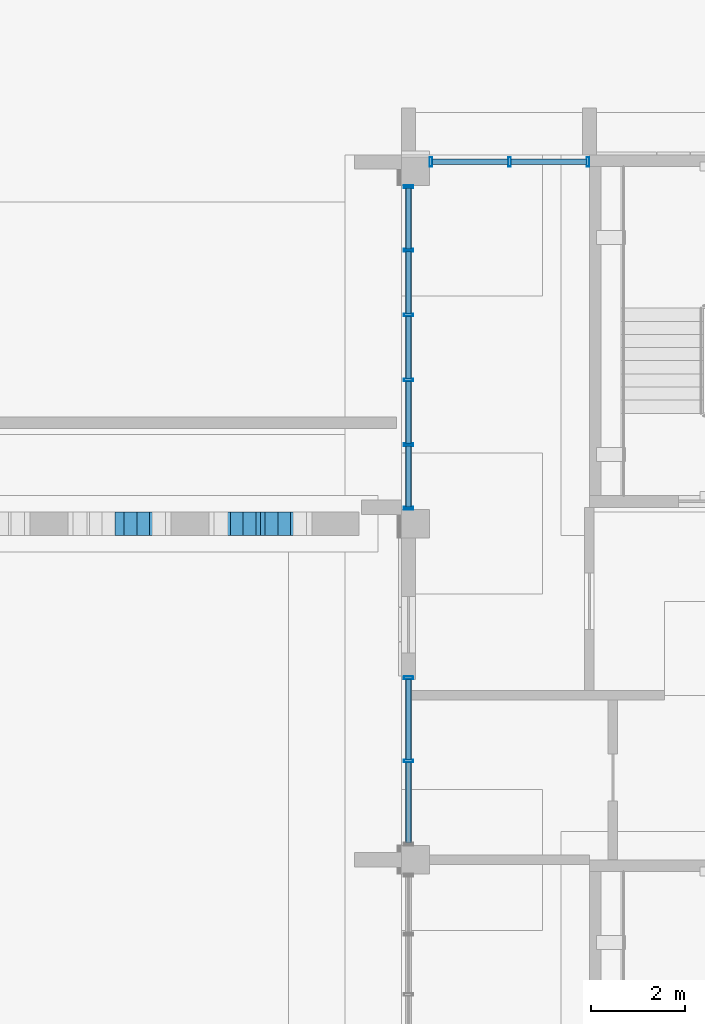
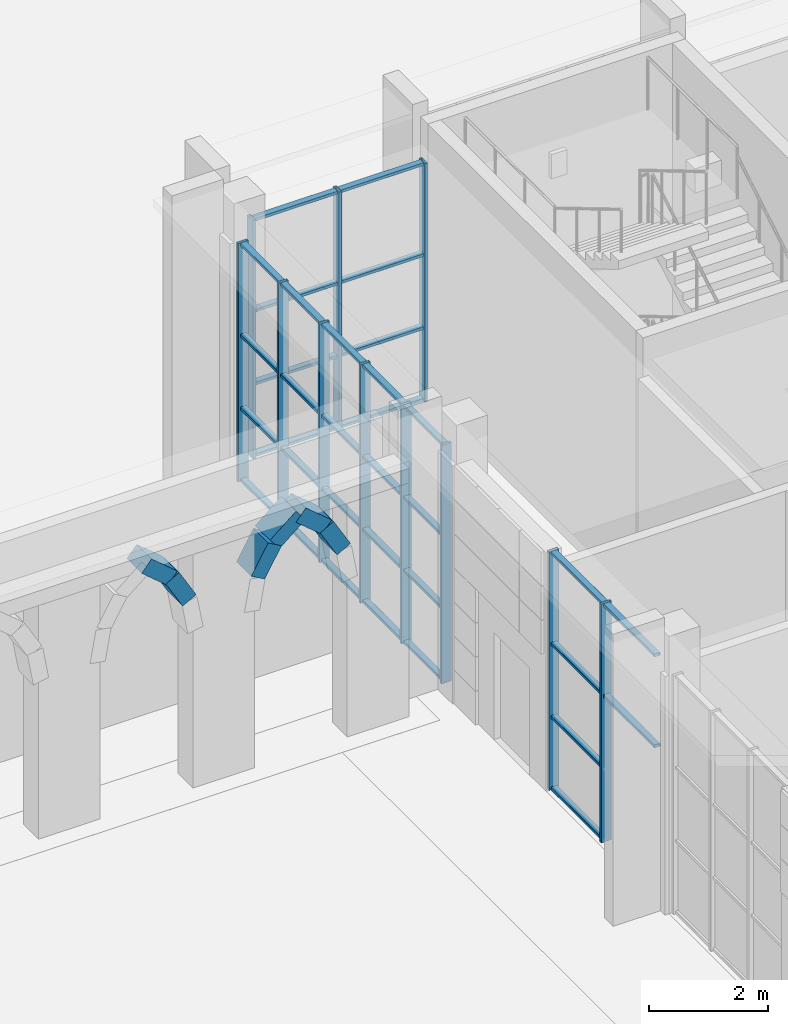
# One storey, part 35 of 125: 51 members, 3 elements without a shape of their own.
"""IFC4 building model written with IfcOpenShell, lengths in metres."""

import ifcopenshell
import ifcopenshell.guid

model = None  # the IFC model being written
_history = None  # IfcOwnerHistory: only IFC2X3 demands one
_inside = {}  # id of a spatial element -> (the spatial element, [elements in it])
_under = {}  # id of a project, library or spatial element -> (it, [spatial elements below it])
_declared = {}  # id of a project -> (the project, [libraries it declares])
_typed = {}  # id of a type object -> (the type object, [elements of that type])
_made_of = {}  # id of a material, layer set ... -> (it, [elements and type objects made of it])


def new_model(schema):
    """Start an empty IFC model of exactly this schema.

    Asked for "IFC4X3", IfcOpenShell would pick the latest addendum, in which some entities
    have other attributes; the version numbers below select the first issue.
    IFC2X3 requires an IfcOwnerHistory on every rooted entity: one is made here for all.
    """
    global model, _history
    if schema == "IFC4X3":
        model = ifcopenshell.file(schema_version=(4, 3, 0, 0))
    else:
        model = ifcopenshell.file(schema=schema)
    _inside.clear()
    _under.clear()
    _declared.clear()
    _typed.clear()
    _made_of.clear()
    _history = None
    if model.schema == "IFC2X3":
        org = make("IfcOrganization", Name="unknown")
        user = make(
            "IfcPersonAndOrganization",
            ThePerson=make("IfcPerson", FamilyName="unknown"),
            TheOrganization=org,
        )
        app = make(
            "IfcApplication",
            ApplicationDeveloper=org,
            Version="unknown",
            ApplicationFullName="unknown",
            ApplicationIdentifier="unknown",
        )
        _history = make(
            "IfcOwnerHistory",
            OwningUser=user,
            OwningApplication=app,
            ChangeAction="ADDED",
            CreationDate=0,
        )
    return model


def make(cls, **values):
    """One entity of the class cls with the attributes given. An attribute that is None is left unset."""
    return model.create_entity(
        cls, **{name: value for name, value in values.items() if value is not None}
    )


def rooted(cls, **values):
    """An entity with a GlobalId (a new one), such as an element, a storey or a relation."""
    return make(cls, GlobalId=ifcopenshell.guid.new(), OwnerHistory=_history, **values)


def si_unit(unit_type, name, prefix=None):
    """IfcSIUnit, for example si_unit("LENGTHUNIT", "METRE", prefix="MILLI")."""
    return make("IfcSIUnit", UnitType=unit_type, Prefix=prefix, Name=name)


def assignment(units):
    """IfcUnitAssignment: the units of a project."""
    return None if units is None else make("IfcUnitAssignment", Units=units)


def point(xyz):
    """IfcCartesianPoint."""
    return None if xyz is None else make("IfcCartesianPoint", Coordinates=xyz)


def direction(xyz):
    """IfcDirection."""
    return None if xyz is None else make("IfcDirection", DirectionRatios=xyz)


def frame(location, z_axis=None, x_axis=None):
    """IfcAxis2Placement3D, a coordinate frame: its origin and axes. An axis left out is left unset."""
    return make(
        "IfcAxis2Placement3D",
        Location=point(location),
        Axis=direction(z_axis),
        RefDirection=direction(x_axis),
    )


def frame_2d(location, x_axis=None):
    """IfcAxis2Placement2D, a coordinate frame in the plane: its origin and x axis."""
    return make(
        "IfcAxis2Placement2D", Location=point(location), RefDirection=direction(x_axis)
    )


def origin():
    """The frame at (0, 0, 0) with its axes left unset."""
    return frame((0.0, 0.0, 0.0))


def origin_2d():
    """The frame at (0, 0) in the plane with its x axis left unset."""
    return frame_2d((0.0, 0.0))


def place(relative_to, where):
    """IfcLocalPlacement: puts the frame where relative to a parent placement (None: the world)."""
    return make(
        "IfcLocalPlacement", PlacementRelTo=relative_to, RelativePlacement=where
    )


def context(
    kind, dimensions, precision=None, world=None, true_north=None, identifier=None
):
    """IfcGeometricRepresentationContext, for example the 3D "Model" context."""
    return make(
        "IfcGeometricRepresentationContext",
        ContextIdentifier=identifier,
        ContextType=kind,
        CoordinateSpaceDimension=dimensions,
        Precision=precision,
        WorldCoordinateSystem=world,
        TrueNorth=true_north,
    )


def subcontext(parent, identifier, kind, view, scale=None):
    """IfcGeometricRepresentationSubContext, for example "Body" below "Model"."""
    return make(
        "IfcGeometricRepresentationSubContext",
        ContextIdentifier=identifier,
        ContextType=kind,
        ParentContext=parent,
        TargetScale=scale,
        TargetView=view,
    )


def project(units=None, contexts=None):
    """IfcProject with its units and contexts."""
    return rooted(
        "IfcProject",
        Name="project",
        RepresentationContexts=contexts,
        UnitsInContext=assignment(units),
    )


def spatial(cls, under=None, at=None, **own):
    """A site, building, storey or space (cls), placed at a placement, below another one or the project."""
    s = rooted(cls, ObjectPlacement=at, **own)
    if under is not None:
        _under.setdefault(under.id(), (under, []))[1].append(s)
    return s


def profile(cls, at=None, kind="AREA", **sizes):
    """A parametric profile (cls). Its sizes go by their IFC names, for example OverallWidth=200.0."""
    return make(cls, ProfileType=kind, Position=at, **sizes)


def rectangle(**sizes):
    """IfcRectangleProfileDef."""
    return profile("IfcRectangleProfileDef", **sizes)


def hollow_rectangle(**sizes):
    """IfcRectangleHollowProfileDef."""
    return profile("IfcRectangleHollowProfileDef", **sizes)


def extrude(swept, where, along, depth):
    """IfcExtrudedAreaSolid: the profile swept, set in the frame where, extruded along a direction by depth."""
    return make(
        "IfcExtrudedAreaSolid",
        SweptArea=swept,
        Position=where,
        ExtrudedDirection=direction(along),
        Depth=depth,
    )


def shape(context_of_items, identifier, shape_type, items):
    """IfcShapeRepresentation: the items that make up one representation, for example the "Body"."""
    return make(
        "IfcShapeRepresentation",
        ContextOfItems=context_of_items,
        RepresentationIdentifier=identifier,
        RepresentationType=shape_type,
        Items=items,
    )


def material(Name=None, Category=None):
    """IfcMaterial."""
    return make("IfcMaterial", Name=Name, Category=Category)


def material_profile(
    of_material, cross_section, Name=None, Category=None, Priority=None
):
    """IfcMaterialProfile: a cross section and its material."""
    return make(
        "IfcMaterialProfile",
        Name=Name,
        Material=of_material,
        Profile=cross_section,
        Priority=Priority,
        Category=Category,
    )


def profile_set(profiles, Name=None, composite=None):
    """IfcMaterialProfileSet."""
    return make(
        "IfcMaterialProfileSet",
        Name=Name,
        MaterialProfiles=profiles,
        CompositeProfile=composite,
    )


def made_of(thing, what):
    """Note that an element or type object is made of a material, layer set ...; save() writes the relation."""
    if what is not None:
        _made_of.setdefault(what.id(), (what, []))[1].append(thing)
    return thing


def type_object(cls, material=None, **own):
    """A type object (cls), such as IfcWallType, which elements share."""
    return made_of(rooted(cls, **own), material)


def element(
    cls,
    number,
    at=None,
    inside=None,
    cuts=None,
    type_object=None,
    material=None,
    context=None,
    identifier="Body",
    shape_type=None,
    held_by="IfcProductDefinitionShape",
    body=None,
    shapes=None,
    **own,
):
    """One element of the class cls, such as IfcWall. Its Tag is "e" and its number.

    at: its placement. inside: the storey or other place that contains it. cuts: it is an
    opening in that element (IfcRelVoidsElement). A single representation is given by context,
    identifier, shape_type and body (its items); several are given by shapes. held_by: the class
    of the entity that holds the representations. save() writes the other relations.
    """
    e = rooted(cls, Tag="e%d" % number, ObjectPlacement=at, **own)
    if body is not None:
        shapes = [shape(context, identifier, shape_type, body)]
    if shapes is not None:
        e.Representation = make(held_by, Representations=shapes)
    if inside is not None:
        _inside.setdefault(inside.id(), (inside, []))[1].append(e)
    if cuts is not None:
        rooted(
            "IfcRelVoidsElement", RelatingBuildingElement=cuts, RelatedOpeningElement=e
        )
    if type_object is not None:
        _typed.setdefault(type_object.id(), (type_object, []))[1].append(e)
    return made_of(e, material)


def aggregate(whole, parts):
    """IfcRelAggregates: a whole, such as a stair, and the parts it consists of."""
    return rooted("IfcRelAggregates", RelatingObject=whole, RelatedObjects=parts)


def save(model, path):
    """Write the relations noted so far, then the file.

    IfcRelAggregates (storeys below a building ...), IfcRelContainedInSpatialStructure (elements
    in a storey), IfcRelDefinesByType, IfcRelAssociatesMaterial and IfcRelDeclares: one each for
    every whole, place, type object, material and project.
    """
    for whole, parts in _under.values():
        aggregate(whole, parts)
    for where, things in _inside.values():
        rooted(
            "IfcRelContainedInSpatialStructure",
            RelatedElements=things,
            RelatingStructure=where,
        )
    for kind, things in _typed.values():
        rooted("IfcRelDefinesByType", RelatedObjects=things, RelatingType=kind)
    for what, things in _made_of.values():
        rooted("IfcRelAssociatesMaterial", RelatedObjects=things, RelatingMaterial=what)
    for by, libraries in _declared.values():
        rooted("IfcRelDeclares", RelatingContext=by, RelatedDefinitions=libraries)
    model.write(path)


model = new_model("IFC4")

# Units and contexts
model_context = context("Model", 3, precision=1e-05, world=origin(), true_north=direction((0.0, 1.0)))
body_context = subcontext(model_context, "Body", "Model", "MODEL_VIEW")
ifc_project = project(units=[si_unit("LENGTHUNIT", "METRE"), si_unit("AREAUNIT", "SQUARE_METRE"), si_unit("VOLUMEUNIT", "CUBIC_METRE"), si_unit("PLANEANGLEUNIT", "RADIAN"), si_unit("MASSUNIT", "GRAM", prefix="KILO")], contexts=[model_context])

# Site, building, storey
site_placement = place(None, origin())
site = spatial("IfcSite", under=ifc_project, at=site_placement, CompositionType="ELEMENT")
building_placement = place(site_placement, origin())
building = spatial("IfcBuilding", under=site, at=building_placement, Name="Sun Court Science Centre", CompositionType="ELEMENT")
storey_placement = place(building_placement, origin())
storey = spatial("IfcBuildingStorey", under=building, at=storey_placement, Name="L00", CompositionType="ELEMENT", Elevation=0.0)

# Members
ifc_material_1 = material(Name="Concrete C30/37", Category="concrete")
ifc_material_profile_1 = material_profile(ifc_material_1, rectangle(XDim=0.5, YDim=0.300048828125, at=origin_2d()), Name="RC 500x300")
ifc_profile_set_1 = profile_set([ifc_material_profile_1], Name="Concrete C30/37")
member_type_1 = type_object("IfcMemberType", Name="Arcade arch rib RC 500x300", PredefinedType="MEMBER", material=ifc_profile_set_1)
member_1_placement = place(storey_placement, frame((72.83544921875, 73.14990234375, 3.8798828125), z_axis=(-0.500117354631, 0.0, 0.865957638454), x_axis=(0.0, -1.0, 0.0)))
element("IfcMember", 1, at=member_1_placement, inside=storey, type_object=member_type_1, Name="Arcade arch rib AR2 bay 16", PredefinedType="MEMBER", context=body_context, shape_type="SweptSolid", body=[
    extrude(rectangle(XDim=0.5, YDim=0.300048828125, at=origin_2d()), origin(), (0.0, 0.0, 1.0), 0.659912109375),
])
member_2_placement = place(storey_placement, frame((72.50537109375, 73.14990234375, 4.451416015625), z_axis=(-0.76603282395, 0.0, 0.642801456619), x_axis=(0.0, -1.0, 0.0)))
element("IfcMember", 2, at=member_2_placement, inside=storey, type_object=member_type_1, Name="Arcade arch rib AR2 bay 16", PredefinedType="MEMBER", context=body_context, shape_type="SweptSolid", body=[
    extrude(rectangle(XDim=0.5, YDim=0.300048828125, at=origin_2d()), origin(), (0.0, 0.0, 1.0), 0.65966796875),
])
member_3_placement = place(storey_placement, frame((74.16455078125, 73.14990234375, 3.8798828125), z_axis=(0.500117354631, 0.0, 0.865957638454), x_axis=(0.0, 1.0, 0.0)))
element("IfcMember", 3, at=member_3_placement, inside=storey, type_object=member_type_1, Name="Arcade arch rib AR2 bay 17", PredefinedType="MEMBER", context=body_context, shape_type="SweptSolid", body=[
    extrude(rectangle(XDim=0.5, YDim=0.300048828125, at=origin_2d()), origin(), (0.0, 0.0, 1.0), 0.659912109375),
])
member_4_placement = place(storey_placement, frame((74.49462890625, 73.14990234375, 4.451416015625), z_axis=(0.76603282395, 0.0, 0.642801456619), x_axis=(0.0, 1.0, 0.0)))
element("IfcMember", 4, at=member_4_placement, inside=storey, type_object=member_type_1, Name="Arcade arch rib AR2 bay 17", PredefinedType="MEMBER", context=body_context, shape_type="SweptSolid", body=[
    extrude(rectangle(XDim=0.5, YDim=0.300048828125, at=origin_2d()), origin(), (0.0, 0.0, 1.0), 0.65966796875),
])
member_5_placement = place(storey_placement, frame((75.83544921875, 73.14990234375, 3.8798828125), z_axis=(-0.500117354631, 0.0, 0.865957638454), x_axis=(0.0, -1.0, 0.0)))
element("IfcMember", 5, at=member_5_placement, inside=storey, type_object=member_type_1, Name="Arcade arch rib AR2 bay 17", PredefinedType="MEMBER", context=body_context, shape_type="SweptSolid", body=[
    extrude(rectangle(XDim=0.5, YDim=0.300048828125, at=origin_2d()), origin(), (0.0, 0.0, 1.0), 0.659912109375),
])
member_6_placement = place(storey_placement, frame((75.50537109375, 73.14990234375, 4.451416015625), z_axis=(-0.76603282395, 0.0, 0.642801456619), x_axis=(0.0, -1.0, 0.0)))
element("IfcMember", 6, at=member_6_placement, inside=storey, type_object=member_type_1, Name="Arcade arch rib AR2 bay 17", PredefinedType="MEMBER", context=body_context, shape_type="SweptSolid", body=[
    extrude(rectangle(XDim=0.5, YDim=0.300048828125, at=origin_2d()), origin(), (0.0, 0.0, 1.0), 0.65966796875),
])

# Curtain wall, members
ifc_material_2 = material(Name="Aluminium EN AW-6063 T6", Category="aluminium")
curtain_wall_type = type_object("IfcCurtainWallType", Name="Laboratory tall bay curtain wall 1500", PredefinedType="NOTDEFINED", material=ifc_material_2)
curtain_wall_1_placement = place(storey_placement, origin())
curtain_wall_1 = element("IfcCurtainWall", 7, at=curtain_wall_1_placement, inside=storey, type_object=curtain_wall_type, Name="Curtain wall V4 W L00 08", PredefinedType="NOTDEFINED")
ifc_material_3 = material(Name="Aluminium EN AW-6063 T6", Category="aluminium")
ifc_material_profile_2 = material_profile(ifc_material_3, hollow_rectangle(XDim=0.06005859375, YDim=0.199951171875, WallThickness=0.0048828125, InnerFilletRadius=0.0048828125, OuterFilletRadius=0.007568359375, at=origin_2d()), Name="AL 60x200x5")
ifc_profile_set_2 = profile_set([ifc_material_profile_2], Name="Aluminium EN AW-6063 T6")
member_type_2 = type_object("IfcMemberType", Name="Curtain wall mullion AL 60x200", PredefinedType="MULLION", material=ifc_profile_set_2)
member_7_placement = place(storey_placement, frame((78.14990234375, 68.10009765625, 0.0), z_axis=(0.0, 0.0, 1.0), x_axis=(0.0, 1.0, 0.0)))
member_7 = element("IfcMember", 8, at=member_7_placement, type_object=member_type_2, Name="CW2-08 mullion 2", PredefinedType="MULLION", context=body_context, shape_type="SweptSolid", body=[
    extrude(hollow_rectangle(XDim=0.06005859375, YDim=0.199951171875, WallThickness=0.0048828125, InnerFilletRadius=0.0048828125, OuterFilletRadius=0.007568359375, at=origin_2d()), origin(), (0.0, 0.0, 1.0), 4.89990234375),
])
member_8_placement = place(storey_placement, frame((78.14990234375, 69.8701171875, 0.0), z_axis=(0.0, 0.0, 1.0), x_axis=(0.0, 1.0, 0.0)))
member_8 = element("IfcMember", 9, at=member_8_placement, type_object=member_type_2, Name="CW2-08 mullion 3", PredefinedType="MULLION", context=body_context, shape_type="SweptSolid", body=[
    extrude(hollow_rectangle(XDim=0.06005859375, YDim=0.199951171875, WallThickness=0.0048828125, InnerFilletRadius=0.0048828125, OuterFilletRadius=0.007568359375, at=origin_2d()), origin(), (0.0, 0.0, 1.0), 4.89990234375),
])

curtain_wall_2_placement = place(storey_placement, origin())
curtain_wall_2 = element("IfcCurtainWall", 10, at=curtain_wall_2_placement, inside=storey, type_object=curtain_wall_type, Name="Curtain wall V4 W L00 09", PredefinedType="NOTDEFINED")
member_9_placement = place(storey_placement, frame((78.14990234375, 73.47998046875, 0.0), z_axis=(0.0, 0.0, 1.0), x_axis=(0.0, 1.0, 0.0)))
member_9 = element("IfcMember", 11, at=member_9_placement, type_object=member_type_2, Name="CW2-09 mullion 1", PredefinedType="MULLION", context=body_context, shape_type="SweptSolid", body=[
    extrude(hollow_rectangle(XDim=0.06005859375, YDim=0.199951171875, WallThickness=0.0048828125, InnerFilletRadius=0.0048828125, OuterFilletRadius=0.007568359375, at=origin_2d()), origin(), (0.0, 0.0, 1.0), 4.89990234375),
])
member_10_placement = place(storey_placement, frame((78.14990234375, 74.830078125, 0.0), z_axis=(0.0, 0.0, 1.0), x_axis=(0.0, 1.0, 0.0)))
member_10 = element("IfcMember", 12, at=member_10_placement, type_object=member_type_2, Name="CW2-09 mullion 2", PredefinedType="MULLION", context=body_context, shape_type="SweptSolid", body=[
    extrude(hollow_rectangle(XDim=0.06005859375, YDim=0.199951171875, WallThickness=0.0048828125, InnerFilletRadius=0.0048828125, OuterFilletRadius=0.007568359375, at=origin_2d()), origin(), (0.0, 0.0, 1.0), 4.89990234375),
])
member_11_placement = place(storey_placement, frame((78.14990234375, 76.2099609375, 0.0), z_axis=(0.0, 0.0, 1.0), x_axis=(0.0, 1.0, 0.0)))
member_11 = element("IfcMember", 13, at=member_11_placement, type_object=member_type_2, Name="CW2-09 mullion 3", PredefinedType="MULLION", context=body_context, shape_type="SweptSolid", body=[
    extrude(hollow_rectangle(XDim=0.06005859375, YDim=0.199951171875, WallThickness=0.0048828125, InnerFilletRadius=0.0048828125, OuterFilletRadius=0.007568359375, at=origin_2d()), origin(), (0.0, 0.0, 1.0), 4.89990234375),
])
member_12_placement = place(storey_placement, frame((78.14990234375, 77.590087890625, 0.0), z_axis=(0.0, 0.0, 1.0), x_axis=(0.0, 1.0, 0.0)))
member_12 = element("IfcMember", 14, at=member_12_placement, type_object=member_type_2, Name="CW2-09 mullion 4", PredefinedType="MULLION", context=body_context, shape_type="SweptSolid", body=[
    extrude(hollow_rectangle(XDim=0.06005859375, YDim=0.199951171875, WallThickness=0.0048828125, InnerFilletRadius=0.0048828125, OuterFilletRadius=0.007568359375, at=origin_2d()), origin(), (0.0, 0.0, 1.0), 4.89990234375),
])
member_13_placement = place(storey_placement, frame((78.14990234375, 78.969970703125, 0.0), z_axis=(0.0, 0.0, 1.0), x_axis=(0.0, 1.0, 0.0)))
member_13 = element("IfcMember", 15, at=member_13_placement, type_object=member_type_2, Name="CW2-09 mullion 5", PredefinedType="MULLION", context=body_context, shape_type="SweptSolid", body=[
    extrude(hollow_rectangle(XDim=0.06005859375, YDim=0.199951171875, WallThickness=0.0048828125, InnerFilletRadius=0.0048828125, OuterFilletRadius=0.007568359375, at=origin_2d()), origin(), (0.0, 0.0, 1.0), 4.89990234375),
])
member_14_placement = place(storey_placement, frame((78.14990234375, 80.320068359375, 0.0), z_axis=(0.0, 0.0, 1.0), x_axis=(0.0, 1.0, 0.0)))
member_14 = element("IfcMember", 16, at=member_14_placement, type_object=member_type_2, Name="CW2-09 mullion 6", PredefinedType="MULLION", context=body_context, shape_type="SweptSolid", body=[
    extrude(hollow_rectangle(XDim=0.06005859375, YDim=0.199951171875, WallThickness=0.0048828125, InnerFilletRadius=0.0048828125, OuterFilletRadius=0.007568359375, at=origin_2d()), origin(), (0.0, 0.0, 1.0), 4.89990234375),
])

curtain_wall_3_placement = place(storey_placement, origin())
curtain_wall_3 = element("IfcCurtainWall", 17, at=curtain_wall_3_placement, inside=storey, type_object=curtain_wall_type, Name="Curtain wall V4 N L00 01", PredefinedType="NOTDEFINED")
member_15_placement = place(storey_placement, frame((78.6298828125, 80.85009765625, 0.0), z_axis=(0.0, 0.0, 1.0), x_axis=(1.0, 0.0, 0.0)))
member_15 = element("IfcMember", 18, at=member_15_placement, type_object=member_type_2, Name="CW2-61 mullion 1", PredefinedType="MULLION", context=body_context, shape_type="SweptSolid", body=[
    extrude(hollow_rectangle(XDim=0.06005859375, YDim=0.199951171875, WallThickness=0.0048828125, InnerFilletRadius=0.0048828125, OuterFilletRadius=0.007568359375, at=origin_2d()), origin(), (0.0, 0.0, 1.0), 4.89990234375),
])
member_16_placement = place(storey_placement, frame((80.300048828125, 80.85009765625, 0.0), z_axis=(0.0, 0.0, 1.0), x_axis=(1.0, 0.0, 0.0)))
member_16 = element("IfcMember", 19, at=member_16_placement, type_object=member_type_2, Name="CW2-61 mullion 2", PredefinedType="MULLION", context=body_context, shape_type="SweptSolid", body=[
    extrude(hollow_rectangle(XDim=0.06005859375, YDim=0.199951171875, WallThickness=0.0048828125, InnerFilletRadius=0.0048828125, OuterFilletRadius=0.007568359375, at=origin_2d()), origin(), (0.0, 0.0, 1.0), 4.89990234375),
])
member_17_placement = place(storey_placement, frame((81.969970703125, 80.85009765625, 0.0), z_axis=(0.0, 0.0, 1.0), x_axis=(1.0, 0.0, 0.0)))
member_17 = element("IfcMember", 20, at=member_17_placement, type_object=member_type_2, Name="CW2-61 mullion 3", PredefinedType="MULLION", context=body_context, shape_type="SweptSolid", body=[
    extrude(hollow_rectangle(XDim=0.06005859375, YDim=0.199951171875, WallThickness=0.0048828125, InnerFilletRadius=0.0048828125, OuterFilletRadius=0.007568359375, at=origin_2d()), origin(), (0.0, 0.0, 1.0), 4.89990234375),
])

# Member
ifc_material_4 = material(Name="Aluminium EN AW-6063 T6", Category="aluminium")
ifc_material_profile_3 = material_profile(ifc_material_4, hollow_rectangle(XDim=0.06005859375, YDim=0.1201171875, WallThickness=0.00390625, InnerFilletRadius=0.00390625, OuterFilletRadius=0.006103515625, at=origin_2d()), Name="AL 60x120x4")
ifc_profile_set_3 = profile_set([ifc_material_profile_3], Name="Aluminium EN AW-6063 T6")
member_type_3 = type_object("IfcMemberType", Name="Curtain wall transom AL 60x120", PredefinedType="USERDEFINED", material=ifc_profile_set_3)
member_18_placement = place(storey_placement, frame((78.14990234375, 68.1298828125, 0.030029296875), z_axis=(0.0, 1.0, 0.0), x_axis=(0.0, 0.0, 1.0)))
member_18 = element("IfcMember", 21, at=member_18_placement, type_object=member_type_3, Name="CW2-08 transom 2.1", ObjectType="TRANSOM", PredefinedType="USERDEFINED", context=body_context, shape_type="SweptSolid", body=[
    extrude(hollow_rectangle(XDim=0.06005859375, YDim=0.1201171875, WallThickness=0.00390625, InnerFilletRadius=0.00390625, OuterFilletRadius=0.006103515625, at=origin_2d()), origin(), (0.0, 0.0, 1.0), 1.710205078125),
])

member_19_placement = place(storey_placement, frame((78.14990234375, 68.1298828125, 1.5), z_axis=(0.0, 1.0, 0.0), x_axis=(0.0, 0.0, 1.0)))
member_19 = element("IfcMember", 22, at=member_19_placement, type_object=member_type_3, Name="CW2-08 transom 2.2", ObjectType="TRANSOM", PredefinedType="USERDEFINED", context=body_context, shape_type="SweptSolid", body=[
    extrude(hollow_rectangle(XDim=0.06005859375, YDim=0.1201171875, WallThickness=0.00390625, InnerFilletRadius=0.00390625, OuterFilletRadius=0.006103515625, at=origin_2d()), origin(), (0.0, 0.0, 1.0), 1.710205078125),
])

member_20_placement = place(storey_placement, frame((78.14990234375, 66.360107421875, 3.0), z_axis=(0.0, 1.0, 0.0), x_axis=(0.0, 0.0, 1.0)))
member_20 = element("IfcMember", 23, at=member_20_placement, type_object=member_type_3, Name="CW2-08 transom 1.3", ObjectType="TRANSOM", PredefinedType="USERDEFINED", context=body_context, shape_type="SweptSolid", body=[
    extrude(hollow_rectangle(XDim=0.06005859375, YDim=0.1201171875, WallThickness=0.00390625, InnerFilletRadius=0.00390625, OuterFilletRadius=0.006103515625, at=origin_2d()), origin(), (0.0, 0.0, 1.0), 1.7099609375),
])

member_21_placement = place(storey_placement, frame((78.14990234375, 68.1298828125, 3.0), z_axis=(0.0, 1.0, 0.0), x_axis=(0.0, 0.0, 1.0)))
member_21 = element("IfcMember", 24, at=member_21_placement, type_object=member_type_3, Name="CW2-08 transom 2.3", ObjectType="TRANSOM", PredefinedType="USERDEFINED", context=body_context, shape_type="SweptSolid", body=[
    extrude(hollow_rectangle(XDim=0.06005859375, YDim=0.1201171875, WallThickness=0.00390625, InnerFilletRadius=0.00390625, OuterFilletRadius=0.006103515625, at=origin_2d()), origin(), (0.0, 0.0, 1.0), 1.710205078125),
])

member_22_placement = place(storey_placement, frame((78.14990234375, 66.360107421875, 4.8701171875), z_axis=(0.0, 1.0, 0.0), x_axis=(0.0, 0.0, 1.0)))
member_22 = element("IfcMember", 25, at=member_22_placement, type_object=member_type_3, Name="CW2-08 transom 1.4", ObjectType="TRANSOM", PredefinedType="USERDEFINED", context=body_context, shape_type="SweptSolid", body=[
    extrude(hollow_rectangle(XDim=0.06005859375, YDim=0.1201171875, WallThickness=0.00390625, InnerFilletRadius=0.00390625, OuterFilletRadius=0.006103515625, at=origin_2d()), origin(), (0.0, 0.0, 1.0), 1.7099609375),
])

member_23_placement = place(storey_placement, frame((78.14990234375, 68.1298828125, 4.8701171875), z_axis=(0.0, 1.0, 0.0), x_axis=(0.0, 0.0, 1.0)))
member_23 = element("IfcMember", 26, at=member_23_placement, type_object=member_type_3, Name="CW2-08 transom 2.4", ObjectType="TRANSOM", PredefinedType="USERDEFINED", context=body_context, shape_type="SweptSolid", body=[
    extrude(hollow_rectangle(XDim=0.06005859375, YDim=0.1201171875, WallThickness=0.00390625, InnerFilletRadius=0.00390625, OuterFilletRadius=0.006103515625, at=origin_2d()), origin(), (0.0, 0.0, 1.0), 1.710205078125),
])

aggregate(curtain_wall_1, [member_7, member_8, member_18, member_19, member_20, member_21, member_22, member_23])

member_24_placement = place(storey_placement, frame((78.14990234375, 73.510009765625, 0.030029296875), z_axis=(0.0, 1.0, 0.0), x_axis=(0.0, 0.0, 1.0)))
member_24 = element("IfcMember", 27, at=member_24_placement, type_object=member_type_3, Name="CW2-09 transom 1.1", ObjectType="TRANSOM", PredefinedType="USERDEFINED", context=body_context, shape_type="SweptSolid", body=[
    extrude(hollow_rectangle(XDim=0.06005859375, YDim=0.1201171875, WallThickness=0.00390625, InnerFilletRadius=0.00390625, OuterFilletRadius=0.006103515625, at=origin_2d()), origin(), (0.0, 0.0, 1.0), 1.2900390625),
])

member_25_placement = place(storey_placement, frame((78.14990234375, 74.860107421875, 0.030029296875), z_axis=(0.0, 1.0, 0.0), x_axis=(0.0, 0.0, 1.0)))
member_25 = element("IfcMember", 28, at=member_25_placement, type_object=member_type_3, Name="CW2-09 transom 2.1", ObjectType="TRANSOM", PredefinedType="USERDEFINED", context=body_context, shape_type="SweptSolid", body=[
    extrude(hollow_rectangle(XDim=0.06005859375, YDim=0.1201171875, WallThickness=0.00390625, InnerFilletRadius=0.00390625, OuterFilletRadius=0.006103515625, at=origin_2d()), origin(), (0.0, 0.0, 1.0), 1.31982421875),
])

member_26_placement = place(storey_placement, frame((78.14990234375, 76.239990234375, 0.030029296875), z_axis=(0.0, 1.0, 0.0), x_axis=(0.0, 0.0, 1.0)))
member_26 = element("IfcMember", 29, at=member_26_placement, type_object=member_type_3, Name="CW2-09 transom 3.1", ObjectType="TRANSOM", PredefinedType="USERDEFINED", context=body_context, shape_type="SweptSolid", body=[
    extrude(hollow_rectangle(XDim=0.06005859375, YDim=0.1201171875, WallThickness=0.00390625, InnerFilletRadius=0.00390625, OuterFilletRadius=0.006103515625, at=origin_2d()), origin(), (0.0, 0.0, 1.0), 1.320068359375),
])

member_27_placement = place(storey_placement, frame((78.14990234375, 77.6201171875, 0.030029296875), z_axis=(0.0, 1.0, 0.0), x_axis=(0.0, 0.0, 1.0)))
member_27 = element("IfcMember", 30, at=member_27_placement, type_object=member_type_3, Name="CW2-09 transom 4.1", ObjectType="TRANSOM", PredefinedType="USERDEFINED", context=body_context, shape_type="SweptSolid", body=[
    extrude(hollow_rectangle(XDim=0.06005859375, YDim=0.1201171875, WallThickness=0.00390625, InnerFilletRadius=0.00390625, OuterFilletRadius=0.006103515625, at=origin_2d()), origin(), (0.0, 0.0, 1.0), 1.31982421875),
])

member_28_placement = place(storey_placement, frame((78.14990234375, 79.0, 0.030029296875), z_axis=(0.0, 1.0, 0.0), x_axis=(0.0, 0.0, 1.0)))
member_28 = element("IfcMember", 31, at=member_28_placement, type_object=member_type_3, Name="CW2-09 transom 5.1", ObjectType="TRANSOM", PredefinedType="USERDEFINED", context=body_context, shape_type="SweptSolid", body=[
    extrude(hollow_rectangle(XDim=0.06005859375, YDim=0.1201171875, WallThickness=0.00390625, InnerFilletRadius=0.00390625, OuterFilletRadius=0.006103515625, at=origin_2d()), origin(), (0.0, 0.0, 1.0), 1.2900390625),
])

member_29_placement = place(storey_placement, frame((78.14990234375, 73.510009765625, 1.5), z_axis=(0.0, 1.0, 0.0), x_axis=(0.0, 0.0, 1.0)))
member_29 = element("IfcMember", 32, at=member_29_placement, type_object=member_type_3, Name="CW2-09 transom 1.2", ObjectType="TRANSOM", PredefinedType="USERDEFINED", context=body_context, shape_type="SweptSolid", body=[
    extrude(hollow_rectangle(XDim=0.06005859375, YDim=0.1201171875, WallThickness=0.00390625, InnerFilletRadius=0.00390625, OuterFilletRadius=0.006103515625, at=origin_2d()), origin(), (0.0, 0.0, 1.0), 1.2900390625),
])

member_30_placement = place(storey_placement, frame((78.14990234375, 74.860107421875, 1.5), z_axis=(0.0, 1.0, 0.0), x_axis=(0.0, 0.0, 1.0)))
member_30 = element("IfcMember", 33, at=member_30_placement, type_object=member_type_3, Name="CW2-09 transom 2.2", ObjectType="TRANSOM", PredefinedType="USERDEFINED", context=body_context, shape_type="SweptSolid", body=[
    extrude(hollow_rectangle(XDim=0.06005859375, YDim=0.1201171875, WallThickness=0.00390625, InnerFilletRadius=0.00390625, OuterFilletRadius=0.006103515625, at=origin_2d()), origin(), (0.0, 0.0, 1.0), 1.31982421875),
])

member_31_placement = place(storey_placement, frame((78.14990234375, 76.239990234375, 1.5), z_axis=(0.0, 1.0, 0.0), x_axis=(0.0, 0.0, 1.0)))
member_31 = element("IfcMember", 34, at=member_31_placement, type_object=member_type_3, Name="CW2-09 transom 3.2", ObjectType="TRANSOM", PredefinedType="USERDEFINED", context=body_context, shape_type="SweptSolid", body=[
    extrude(hollow_rectangle(XDim=0.06005859375, YDim=0.1201171875, WallThickness=0.00390625, InnerFilletRadius=0.00390625, OuterFilletRadius=0.006103515625, at=origin_2d()), origin(), (0.0, 0.0, 1.0), 1.320068359375),
])

member_32_placement = place(storey_placement, frame((78.14990234375, 77.6201171875, 1.5), z_axis=(0.0, 1.0, 0.0), x_axis=(0.0, 0.0, 1.0)))
member_32 = element("IfcMember", 35, at=member_32_placement, type_object=member_type_3, Name="CW2-09 transom 4.2", ObjectType="TRANSOM", PredefinedType="USERDEFINED", context=body_context, shape_type="SweptSolid", body=[
    extrude(hollow_rectangle(XDim=0.06005859375, YDim=0.1201171875, WallThickness=0.00390625, InnerFilletRadius=0.00390625, OuterFilletRadius=0.006103515625, at=origin_2d()), origin(), (0.0, 0.0, 1.0), 1.31982421875),
])

member_33_placement = place(storey_placement, frame((78.14990234375, 79.0, 1.5), z_axis=(0.0, 1.0, 0.0), x_axis=(0.0, 0.0, 1.0)))
member_33 = element("IfcMember", 36, at=member_33_placement, type_object=member_type_3, Name="CW2-09 transom 5.2", ObjectType="TRANSOM", PredefinedType="USERDEFINED", context=body_context, shape_type="SweptSolid", body=[
    extrude(hollow_rectangle(XDim=0.06005859375, YDim=0.1201171875, WallThickness=0.00390625, InnerFilletRadius=0.00390625, OuterFilletRadius=0.006103515625, at=origin_2d()), origin(), (0.0, 0.0, 1.0), 1.2900390625),
])

member_34_placement = place(storey_placement, frame((78.14990234375, 73.510009765625, 3.0), z_axis=(0.0, 1.0, 0.0), x_axis=(0.0, 0.0, 1.0)))
member_34 = element("IfcMember", 37, at=member_34_placement, type_object=member_type_3, Name="CW2-09 transom 1.3", ObjectType="TRANSOM", PredefinedType="USERDEFINED", context=body_context, shape_type="SweptSolid", body=[
    extrude(hollow_rectangle(XDim=0.06005859375, YDim=0.1201171875, WallThickness=0.00390625, InnerFilletRadius=0.00390625, OuterFilletRadius=0.006103515625, at=origin_2d()), origin(), (0.0, 0.0, 1.0), 1.2900390625),
])

member_35_placement = place(storey_placement, frame((78.14990234375, 74.860107421875, 3.0), z_axis=(0.0, 1.0, 0.0), x_axis=(0.0, 0.0, 1.0)))
member_35 = element("IfcMember", 38, at=member_35_placement, type_object=member_type_3, Name="CW2-09 transom 2.3", ObjectType="TRANSOM", PredefinedType="USERDEFINED", context=body_context, shape_type="SweptSolid", body=[
    extrude(hollow_rectangle(XDim=0.06005859375, YDim=0.1201171875, WallThickness=0.00390625, InnerFilletRadius=0.00390625, OuterFilletRadius=0.006103515625, at=origin_2d()), origin(), (0.0, 0.0, 1.0), 1.31982421875),
])

member_36_placement = place(storey_placement, frame((78.14990234375, 76.239990234375, 3.0), z_axis=(0.0, 1.0, 0.0), x_axis=(0.0, 0.0, 1.0)))
member_36 = element("IfcMember", 39, at=member_36_placement, type_object=member_type_3, Name="CW2-09 transom 3.3", ObjectType="TRANSOM", PredefinedType="USERDEFINED", context=body_context, shape_type="SweptSolid", body=[
    extrude(hollow_rectangle(XDim=0.06005859375, YDim=0.1201171875, WallThickness=0.00390625, InnerFilletRadius=0.00390625, OuterFilletRadius=0.006103515625, at=origin_2d()), origin(), (0.0, 0.0, 1.0), 1.320068359375),
])

member_37_placement = place(storey_placement, frame((78.14990234375, 77.6201171875, 3.0), z_axis=(0.0, 1.0, 0.0), x_axis=(0.0, 0.0, 1.0)))
member_37 = element("IfcMember", 40, at=member_37_placement, type_object=member_type_3, Name="CW2-09 transom 4.3", ObjectType="TRANSOM", PredefinedType="USERDEFINED", context=body_context, shape_type="SweptSolid", body=[
    extrude(hollow_rectangle(XDim=0.06005859375, YDim=0.1201171875, WallThickness=0.00390625, InnerFilletRadius=0.00390625, OuterFilletRadius=0.006103515625, at=origin_2d()), origin(), (0.0, 0.0, 1.0), 1.31982421875),
])

member_38_placement = place(storey_placement, frame((78.14990234375, 79.0, 3.0), z_axis=(0.0, 1.0, 0.0), x_axis=(0.0, 0.0, 1.0)))
member_38 = element("IfcMember", 41, at=member_38_placement, type_object=member_type_3, Name="CW2-09 transom 5.3", ObjectType="TRANSOM", PredefinedType="USERDEFINED", context=body_context, shape_type="SweptSolid", body=[
    extrude(hollow_rectangle(XDim=0.06005859375, YDim=0.1201171875, WallThickness=0.00390625, InnerFilletRadius=0.00390625, OuterFilletRadius=0.006103515625, at=origin_2d()), origin(), (0.0, 0.0, 1.0), 1.2900390625),
])

member_39_placement = place(storey_placement, frame((78.14990234375, 73.510009765625, 4.8701171875), z_axis=(0.0, 1.0, 0.0), x_axis=(0.0, 0.0, 1.0)))
member_39 = element("IfcMember", 42, at=member_39_placement, type_object=member_type_3, Name="CW2-09 transom 1.4", ObjectType="TRANSOM", PredefinedType="USERDEFINED", context=body_context, shape_type="SweptSolid", body=[
    extrude(hollow_rectangle(XDim=0.06005859375, YDim=0.1201171875, WallThickness=0.00390625, InnerFilletRadius=0.00390625, OuterFilletRadius=0.006103515625, at=origin_2d()), origin(), (0.0, 0.0, 1.0), 1.2900390625),
])

member_40_placement = place(storey_placement, frame((78.14990234375, 74.860107421875, 4.8701171875), z_axis=(0.0, 1.0, 0.0), x_axis=(0.0, 0.0, 1.0)))
member_40 = element("IfcMember", 43, at=member_40_placement, type_object=member_type_3, Name="CW2-09 transom 2.4", ObjectType="TRANSOM", PredefinedType="USERDEFINED", context=body_context, shape_type="SweptSolid", body=[
    extrude(hollow_rectangle(XDim=0.06005859375, YDim=0.1201171875, WallThickness=0.00390625, InnerFilletRadius=0.00390625, OuterFilletRadius=0.006103515625, at=origin_2d()), origin(), (0.0, 0.0, 1.0), 1.31982421875),
])

member_41_placement = place(storey_placement, frame((78.14990234375, 76.239990234375, 4.8701171875), z_axis=(0.0, 1.0, 0.0), x_axis=(0.0, 0.0, 1.0)))
member_41 = element("IfcMember", 44, at=member_41_placement, type_object=member_type_3, Name="CW2-09 transom 3.4", ObjectType="TRANSOM", PredefinedType="USERDEFINED", context=body_context, shape_type="SweptSolid", body=[
    extrude(hollow_rectangle(XDim=0.06005859375, YDim=0.1201171875, WallThickness=0.00390625, InnerFilletRadius=0.00390625, OuterFilletRadius=0.006103515625, at=origin_2d()), origin(), (0.0, 0.0, 1.0), 1.320068359375),
])

member_42_placement = place(storey_placement, frame((78.14990234375, 77.6201171875, 4.8701171875), z_axis=(0.0, 1.0, 0.0), x_axis=(0.0, 0.0, 1.0)))
member_42 = element("IfcMember", 45, at=member_42_placement, type_object=member_type_3, Name="CW2-09 transom 4.4", ObjectType="TRANSOM", PredefinedType="USERDEFINED", context=body_context, shape_type="SweptSolid", body=[
    extrude(hollow_rectangle(XDim=0.06005859375, YDim=0.1201171875, WallThickness=0.00390625, InnerFilletRadius=0.00390625, OuterFilletRadius=0.006103515625, at=origin_2d()), origin(), (0.0, 0.0, 1.0), 1.31982421875),
])

member_43_placement = place(storey_placement, frame((78.14990234375, 79.0, 4.8701171875), z_axis=(0.0, 1.0, 0.0), x_axis=(0.0, 0.0, 1.0)))
member_43 = element("IfcMember", 46, at=member_43_placement, type_object=member_type_3, Name="CW2-09 transom 5.4", ObjectType="TRANSOM", PredefinedType="USERDEFINED", context=body_context, shape_type="SweptSolid", body=[
    extrude(hollow_rectangle(XDim=0.06005859375, YDim=0.1201171875, WallThickness=0.00390625, InnerFilletRadius=0.00390625, OuterFilletRadius=0.006103515625, at=origin_2d()), origin(), (0.0, 0.0, 1.0), 1.2900390625),
])

aggregate(curtain_wall_2, [member_9, member_10, member_11, member_12, member_13, member_14, member_24, member_25, member_26, member_27, member_28, member_29, member_30, member_31, member_32, member_33, member_34, member_35, member_36, member_37, member_38, member_39, member_40, member_41, member_42, member_43])

member_44_placement = place(storey_placement, frame((78.659912109375, 80.85009765625, 0.030029296875), z_axis=(1.0, 0.0, 0.0), x_axis=(0.0, 0.0, 1.0)))
member_44 = element("IfcMember", 47, at=member_44_placement, type_object=member_type_3, Name="CW2-61 transom 1.1", ObjectType="TRANSOM", PredefinedType="USERDEFINED", context=body_context, shape_type="SweptSolid", body=[
    extrude(hollow_rectangle(XDim=0.06005859375, YDim=0.1201171875, WallThickness=0.00390625, InnerFilletRadius=0.00390625, OuterFilletRadius=0.006103515625, at=origin_2d()), origin(), (0.0, 0.0, 1.0), 1.610107421875),
])

member_45_placement = place(storey_placement, frame((80.330078125, 80.85009765625, 0.030029296875), z_axis=(1.0, 0.0, 0.0), x_axis=(0.0, 0.0, 1.0)))
member_45 = element("IfcMember", 48, at=member_45_placement, type_object=member_type_3, Name="CW2-61 transom 2.1", ObjectType="TRANSOM", PredefinedType="USERDEFINED", context=body_context, shape_type="SweptSolid", body=[
    extrude(hollow_rectangle(XDim=0.06005859375, YDim=0.1201171875, WallThickness=0.00390625, InnerFilletRadius=0.00390625, OuterFilletRadius=0.006103515625, at=origin_2d()), origin(), (0.0, 0.0, 1.0), 1.60986328125),
])

member_46_placement = place(storey_placement, frame((78.659912109375, 80.85009765625, 1.5), z_axis=(1.0, 0.0, 0.0), x_axis=(0.0, 0.0, 1.0)))
member_46 = element("IfcMember", 49, at=member_46_placement, type_object=member_type_3, Name="CW2-61 transom 1.2", ObjectType="TRANSOM", PredefinedType="USERDEFINED", context=body_context, shape_type="SweptSolid", body=[
    extrude(hollow_rectangle(XDim=0.06005859375, YDim=0.1201171875, WallThickness=0.00390625, InnerFilletRadius=0.00390625, OuterFilletRadius=0.006103515625, at=origin_2d()), origin(), (0.0, 0.0, 1.0), 1.610107421875),
])

member_47_placement = place(storey_placement, frame((80.330078125, 80.85009765625, 1.5), z_axis=(1.0, 0.0, 0.0), x_axis=(0.0, 0.0, 1.0)))
member_47 = element("IfcMember", 50, at=member_47_placement, type_object=member_type_3, Name="CW2-61 transom 2.2", ObjectType="TRANSOM", PredefinedType="USERDEFINED", context=body_context, shape_type="SweptSolid", body=[
    extrude(hollow_rectangle(XDim=0.06005859375, YDim=0.1201171875, WallThickness=0.00390625, InnerFilletRadius=0.00390625, OuterFilletRadius=0.006103515625, at=origin_2d()), origin(), (0.0, 0.0, 1.0), 1.60986328125),
])

member_48_placement = place(storey_placement, frame((78.659912109375, 80.85009765625, 3.0), z_axis=(1.0, 0.0, 0.0), x_axis=(0.0, 0.0, 1.0)))
member_48 = element("IfcMember", 51, at=member_48_placement, type_object=member_type_3, Name="CW2-61 transom 1.3", ObjectType="TRANSOM", PredefinedType="USERDEFINED", context=body_context, shape_type="SweptSolid", body=[
    extrude(hollow_rectangle(XDim=0.06005859375, YDim=0.1201171875, WallThickness=0.00390625, InnerFilletRadius=0.00390625, OuterFilletRadius=0.006103515625, at=origin_2d()), origin(), (0.0, 0.0, 1.0), 1.610107421875),
])

member_49_placement = place(storey_placement, frame((80.330078125, 80.85009765625, 3.0), z_axis=(1.0, 0.0, 0.0), x_axis=(0.0, 0.0, 1.0)))
member_49 = element("IfcMember", 52, at=member_49_placement, type_object=member_type_3, Name="CW2-61 transom 2.3", ObjectType="TRANSOM", PredefinedType="USERDEFINED", context=body_context, shape_type="SweptSolid", body=[
    extrude(hollow_rectangle(XDim=0.06005859375, YDim=0.1201171875, WallThickness=0.00390625, InnerFilletRadius=0.00390625, OuterFilletRadius=0.006103515625, at=origin_2d()), origin(), (0.0, 0.0, 1.0), 1.60986328125),
])

member_50_placement = place(storey_placement, frame((78.659912109375, 80.85009765625, 4.8701171875), z_axis=(1.0, 0.0, 0.0), x_axis=(0.0, 0.0, 1.0)))
member_50 = element("IfcMember", 53, at=member_50_placement, type_object=member_type_3, Name="CW2-61 transom 1.4", ObjectType="TRANSOM", PredefinedType="USERDEFINED", context=body_context, shape_type="SweptSolid", body=[
    extrude(hollow_rectangle(XDim=0.06005859375, YDim=0.1201171875, WallThickness=0.00390625, InnerFilletRadius=0.00390625, OuterFilletRadius=0.006103515625, at=origin_2d()), origin(), (0.0, 0.0, 1.0), 1.610107421875),
])

member_51_placement = place(storey_placement, frame((80.330078125, 80.85009765625, 4.8701171875), z_axis=(1.0, 0.0, 0.0), x_axis=(0.0, 0.0, 1.0)))
member_51 = element("IfcMember", 54, at=member_51_placement, type_object=member_type_3, Name="CW2-61 transom 2.4", ObjectType="TRANSOM", PredefinedType="USERDEFINED", context=body_context, shape_type="SweptSolid", body=[
    extrude(hollow_rectangle(XDim=0.06005859375, YDim=0.1201171875, WallThickness=0.00390625, InnerFilletRadius=0.00390625, OuterFilletRadius=0.006103515625, at=origin_2d()), origin(), (0.0, 0.0, 1.0), 1.60986328125),
])

aggregate(curtain_wall_3, [member_15, member_16, member_17, member_44, member_45, member_46, member_47, member_48, member_49, member_50, member_51])

save(model, "model.ifc")
